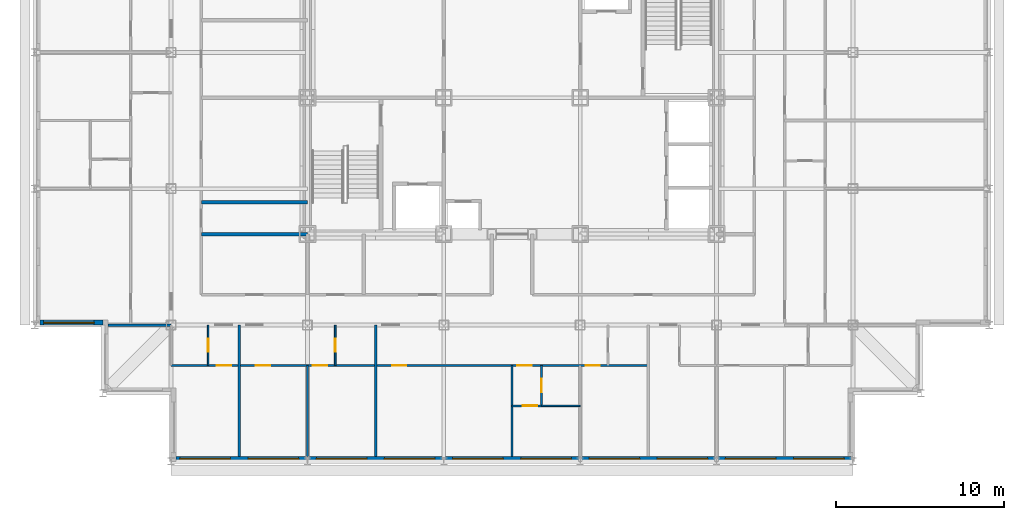
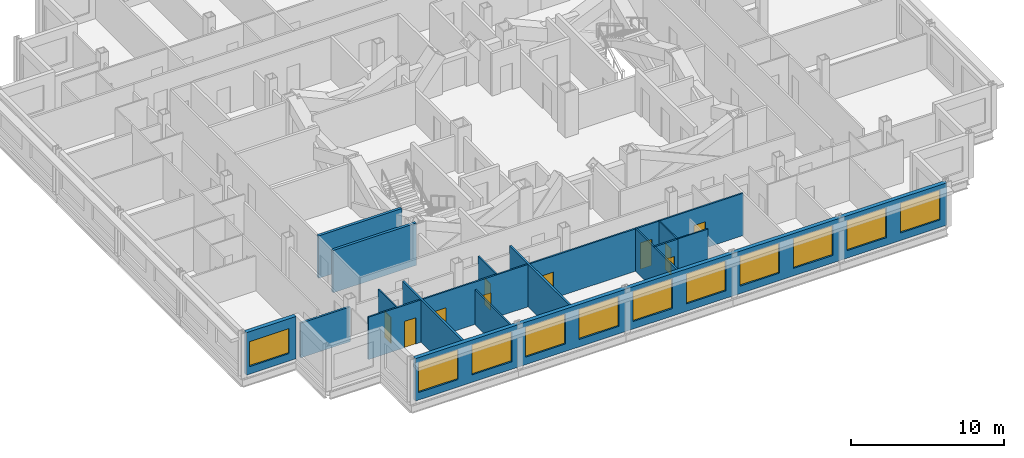
# One storey, part 4 of 12: 15 walls, 11 windows, 10 doors, 21 openings.
"""IFC4 building model written with IfcOpenShell, lengths in metres."""

from ifc_helpers import new_model, si_unit, direction, frame, frame_2d, origin, place, context, subcontext, project, spatial, rectangle, extrude, material, layer, layer_set, type_object, element, fill, save


model = new_model("IFC4")

# Units and contexts
model_context = context("Model", 3, precision=1e-05, world=origin(), true_north=direction((0.0, 1.0)))
body_context = subcontext(model_context, "Body", "Model", "MODEL_VIEW")
ifc_project = project(units=[si_unit("LENGTHUNIT", "METRE"), si_unit("AREAUNIT", "SQUARE_METRE"), si_unit("VOLUMEUNIT", "CUBIC_METRE"), si_unit("PLANEANGLEUNIT", "RADIAN"), si_unit("MASSUNIT", "GRAM", prefix="KILO")], contexts=[model_context])

# Site, building, storey
site_placement = place(None, origin())
site = spatial("IfcSite", under=ifc_project, at=site_placement, CompositionType="ELEMENT")
building_placement = place(site_placement, origin())
building = spatial("IfcBuilding", under=site, at=building_placement, Name="Kopane Lantern Tower", CompositionType="ELEMENT")
storey_placement = place(building_placement, frame((0.0, 0.0, 210.0)))
storey = spatial("IfcBuildingStorey", under=building, at=storey_placement, Name="L54", CompositionType="ELEMENT", Elevation=210.0)

# Walls
ifc_material_1 = material(Name="Gypsum board on steel studs", Category="steel")
ifc_layer_1 = layer(ifc_material_1, 0.1201171875)
ifc_layer_set_1 = layer_set([ifc_layer_1], Name="APARTMENT INTERNAL WALL 120")
wall_type_1 = type_object("IfcWallType", Name="APARTMENT INTERNAL WALL 120", PredefinedType="PARTITIONING", material=ifc_layer_set_1)
wall_1_placement = place(storey_placement, frame((16.199951171875, 16.5, 0.0), z_axis=(0.0, 0.0, 1.0), x_axis=(0.0, -1.0, 0.0)))
element("IfcWall", 1, at=wall_1_placement, inside=storey, type_object=wall_type_1, Name="Apartment Internal Wall 120 L54", PredefinedType="PARTITIONING", context=body_context, shape_type="SweptSolid", body=[
    extrude(rectangle(XDim=5.39990234375, YDim=0.1201171875, at=frame_2d((2.699951171875, 0.0))), origin(), (0.0, 0.0, 1.0), 2.77783203125),
])
wall_2_placement = place(storey_placement, frame((28.35009765625, 16.5, 0.0), z_axis=(0.0, 0.0, 1.0), x_axis=(0.0, -1.0, 0.0)))
element("IfcWall", 2, at=wall_2_placement, inside=storey, type_object=wall_type_1, Name="Apartment Internal Wall 120 L54", PredefinedType="PARTITIONING", context=body_context, shape_type="SweptSolid", body=[
    extrude(rectangle(XDim=5.39990234375, YDim=0.1201171875, at=frame_2d((2.699951171875, 0.0))), origin(), (0.0, 0.0, 1.0), 3.389892578125),
])

# Wall, openings, doors
wall_3_placement = place(storey_placement, frame((8.10009765625, 16.5, 0.0), z_axis=(0.0, 0.0, 1.0), x_axis=(1.0, 0.0, 0.0)))
wall_3 = element("IfcWall", 3, at=wall_3_placement, inside=storey, type_object=wall_type_1, Name="Apartment Internal Wall 120 L54", PredefinedType="PARTITIONING", context=body_context, shape_type="SweptSolid", body=[
    extrude(rectangle(XDim=28.349853515625, YDim=0.1201171875, at=frame_2d((14.1748046875, 0.0))), origin(), (0.0, 0.0, 1.0), 3.389892578125),
])
opening_1_placement = place(wall_3_placement, frame((5.02490234375, 0.0, 0.0)))
opening_1 = element("IfcOpeningElement", 4, at=opening_1_placement, cuts=wall_3, Name="Opening L54-019", PredefinedType="OPENING", context=body_context, shape_type="SweptSolid", body=[
    extrude(rectangle(XDim=0.85009765625, YDim=2.10009765625, at=frame_2d((0.425048828125, 1.050048828125))), frame((0.0, 0.070068359375, 0.0), z_axis=(0.0, -1.0, 0.0), x_axis=(1.0, 0.0, 0.0)), (0.0, 0.0, 1.0), 0.14013671875),
])
opening_2_placement = place(wall_3_placement, frame((8.425048828125, 0.0, 0.0)))
opening_2 = element("IfcOpeningElement", 5, at=opening_2_placement, cuts=wall_3, Name="Opening L54-020", PredefinedType="OPENING", context=body_context, shape_type="SweptSolid", body=[
    extrude(rectangle(XDim=0.85009765625, YDim=2.10009765625, at=frame_2d((0.425048828125, 1.050048828125))), frame((0.0, 0.070068359375, 0.0), z_axis=(0.0, -1.0, 0.0), x_axis=(1.0, 0.0, 0.0)), (0.0, 0.0, 1.0), 0.14013671875),
])
opening_3_placement = place(wall_3_placement, frame((13.125, 0.0, 0.0)))
opening_3 = element("IfcOpeningElement", 6, at=opening_3_placement, cuts=wall_3, Name="Opening L54-023", PredefinedType="OPENING", context=body_context, shape_type="SweptSolid", body=[
    extrude(rectangle(XDim=0.85009765625, YDim=2.10009765625, at=frame_2d((0.425048828125, 1.050048828125))), frame((0.0, 0.070068359375, 0.0), z_axis=(0.0, -1.0, 0.0), x_axis=(1.0, 0.0, 0.0)), (0.0, 0.0, 1.0), 0.14013671875),
])
opening_4_placement = place(wall_3_placement, frame((20.574951171875, 0.0, 0.0)))
opening_4 = element("IfcOpeningElement", 7, at=opening_4_placement, cuts=wall_3, Name="Opening L54-025", PredefinedType="OPENING", context=body_context, shape_type="SweptSolid", body=[
    extrude(rectangle(XDim=0.85009765625, YDim=2.10009765625, at=frame_2d((0.425048828125, 1.050048828125))), frame((0.0, 0.070068359375, 0.0), z_axis=(0.0, -1.0, 0.0), x_axis=(1.0, 0.0, 0.0)), (0.0, 0.0, 1.0), 0.14013671875),
])
opening_5_placement = place(wall_3_placement, frame((24.625, 0.0, 0.0)))
opening_5 = element("IfcOpeningElement", 8, at=opening_5_placement, cuts=wall_3, Name="Opening L54-026", PredefinedType="OPENING", context=body_context, shape_type="SweptSolid", body=[
    extrude(rectangle(XDim=0.85009765625, YDim=2.10009765625, at=frame_2d((0.425048828125, 1.050048828125))), frame((0.0, 0.070068359375, 0.0), z_axis=(0.0, -1.0, 0.0), x_axis=(1.0, 0.0, 0.0)), (0.0, 0.0, 1.0), 0.14013671875),
])
opening_6_placement = place(wall_3_placement, frame((2.72509765625, 0.0, 0.0)))
opening_6 = element("IfcOpeningElement", 9, at=opening_6_placement, cuts=wall_3, Name="Opening L54-065", PredefinedType="OPENING", context=body_context, shape_type="SweptSolid", body=[
    extrude(rectangle(XDim=0.85009765625, YDim=2.10009765625, at=frame_2d((0.425048828125, 1.050048828125))), frame((0.0, 0.070068359375, 0.0), z_axis=(0.0, -1.0, 0.0), x_axis=(1.0, 0.0, 0.0)), (0.0, 0.0, 1.0), 0.14013671875),
])
ifc_material_2 = material(Name="Timber door set", Category="wood")
door_type_1 = type_object("IfcDoorType", Name="DOOR D4 850x2100", OperationType="SINGLE_SWING_LEFT", PredefinedType="DOOR", material=ifc_material_2)
door_1_placement = place(opening_1_placement, origin())
door_1 = element("IfcDoor", 10, at=door_1_placement, inside=storey, type_object=door_type_1, Name="Door L54-019", OperationType="SINGLE_SWING_LEFT", OverallHeight=2.10009765625, OverallWidth=0.85009765625, PredefinedType="DOOR", context=body_context, shape_type="SweptSolid", body=[
    extrude(rectangle(XDim=0.85009765625, YDim=2.10009765625, at=frame_2d((0.425048828125, 1.050048828125))), frame((0.0, 0.02490234375, 0.0), z_axis=(0.0, -1.0, 0.0), x_axis=(1.0, 0.0, 0.0)), (0.0, 0.0, 1.0), 0.050048828125),
])
fill(opening_1, door_1)
door_2_placement = place(opening_2_placement, origin())
door_2 = element("IfcDoor", 11, at=door_2_placement, inside=storey, type_object=door_type_1, Name="Door L54-020", OperationType="SINGLE_SWING_RIGHT", OverallHeight=2.10009765625, OverallWidth=0.85009765625, PredefinedType="DOOR", context=body_context, shape_type="SweptSolid", body=[
    extrude(rectangle(XDim=0.85009765625, YDim=2.10009765625, at=frame_2d((0.425048828125, 1.050048828125))), frame((0.0, 0.02490234375, 0.0), z_axis=(0.0, -1.0, 0.0), x_axis=(1.0, 0.0, 0.0)), (0.0, 0.0, 1.0), 0.050048828125),
])
fill(opening_2, door_2)
door_3_placement = place(opening_3_placement, origin())
door_3 = element("IfcDoor", 12, at=door_3_placement, inside=storey, type_object=door_type_1, Name="Door L54-023", OperationType="SINGLE_SWING_RIGHT", OverallHeight=2.10009765625, OverallWidth=0.85009765625, PredefinedType="DOOR", context=body_context, shape_type="SweptSolid", body=[
    extrude(rectangle(XDim=0.85009765625, YDim=2.10009765625, at=frame_2d((0.425048828125, 1.050048828125))), frame((0.0, 0.02490234375, 0.0), z_axis=(0.0, -1.0, 0.0), x_axis=(1.0, 0.0, 0.0)), (0.0, 0.0, 1.0), 0.050048828125),
])
fill(opening_3, door_3)
door_4_placement = place(opening_4_placement, origin())
door_4 = element("IfcDoor", 13, at=door_4_placement, inside=storey, type_object=door_type_1, Name="Door L54-025", OperationType="SINGLE_SWING_RIGHT", OverallHeight=2.10009765625, OverallWidth=0.85009765625, PredefinedType="DOOR", context=body_context, shape_type="SweptSolid", body=[
    extrude(rectangle(XDim=0.85009765625, YDim=2.10009765625, at=frame_2d((0.425048828125, 1.050048828125))), frame((0.0, 0.02490234375, 0.0), z_axis=(0.0, -1.0, 0.0), x_axis=(1.0, 0.0, 0.0)), (0.0, 0.0, 1.0), 0.050048828125),
])
fill(opening_4, door_4)
door_5_placement = place(opening_5_placement, origin())
door_5 = element("IfcDoor", 14, at=door_5_placement, inside=storey, type_object=door_type_1, Name="Door L54-026", OperationType="SINGLE_SWING_RIGHT", OverallHeight=2.10009765625, OverallWidth=0.85009765625, PredefinedType="DOOR", context=body_context, shape_type="SweptSolid", body=[
    extrude(rectangle(XDim=0.85009765625, YDim=2.10009765625, at=frame_2d((0.425048828125, 1.050048828125))), frame((0.0, 0.02490234375, 0.0), z_axis=(0.0, -1.0, 0.0), x_axis=(1.0, 0.0, 0.0)), (0.0, 0.0, 1.0), 0.050048828125),
])
fill(opening_5, door_5)
door_6_placement = place(opening_6_placement, origin())
door_6 = element("IfcDoor", 15, at=door_6_placement, inside=storey, type_object=door_type_1, Name="Door L54-065", OperationType="SINGLE_SWING_LEFT", OverallHeight=2.10009765625, OverallWidth=0.85009765625, PredefinedType="DOOR", context=body_context, shape_type="SweptSolid", body=[
    extrude(rectangle(XDim=0.85009765625, YDim=2.10009765625, at=frame_2d((0.425048828125, 1.050048828125))), frame((0.0, 0.02490234375, 0.0), z_axis=(0.0, -1.0, 0.0), x_axis=(1.0, 0.0, 0.0)), (0.0, 0.0, 1.0), 0.050048828125),
])
fill(opening_6, door_6)

# Wall, opening, door
wall_4_placement = place(storey_placement, frame((30.110107421875, 14.10009765625, 0.0), z_axis=(0.0, 0.0, 1.0), x_axis=(-1.0, 0.0, 0.0)))
wall_4 = element("IfcWall", 16, at=wall_4_placement, inside=storey, type_object=wall_type_1, Name="Apartment Internal Wall 120 L54", PredefinedType="PARTITIONING", context=body_context, shape_type="SweptSolid", body=[
    extrude(rectangle(XDim=1.760009765625, YDim=0.1201171875, at=frame_2d((0.8798828125, 0.0))), origin(), (0.0, 0.0, 1.0), 3.389892578125),
])
opening_7_placement = place(wall_4_placement, frame((0.27490234375, 0.0, 0.0)))
opening_7 = element("IfcOpeningElement", 17, at=opening_7_placement, cuts=wall_4, Name="Opening L54-080", PredefinedType="OPENING", context=body_context, shape_type="SweptSolid", body=[
    extrude(rectangle(XDim=0.85009765625, YDim=2.10009765625, at=frame_2d((0.425048828125, 1.050048828125))), frame((0.0, 0.070068359375, 0.0), z_axis=(0.0, -1.0, 0.0), x_axis=(1.0, 0.0, 0.0)), (0.0, 0.0, 1.0), 0.14013671875),
])
door_7_placement = place(opening_7_placement, origin())
door_7 = element("IfcDoor", 18, at=door_7_placement, inside=storey, type_object=door_type_1, Name="Door L54-080", OperationType="SINGLE_SWING_RIGHT", OverallHeight=2.10009765625, OverallWidth=0.85009765625, PredefinedType="DOOR", context=body_context, shape_type="SweptSolid", body=[
    extrude(rectangle(XDim=0.85009765625, YDim=2.10009765625, at=frame_2d((0.425048828125, 1.050048828125))), frame((0.0, 0.02490234375, 0.0), z_axis=(0.0, -1.0, 0.0), x_axis=(1.0, 0.0, 0.0)), (0.0, 0.0, 1.0), 0.050048828125),
])
fill(opening_7, door_7)

ifc_material_3 = material(Name="Moisture-resistant board on steel studs", Category="steel")
ifc_layer_2 = layer(ifc_material_3, 0.10009765625)
ifc_layer_set_2 = layer_set([ifc_layer_2], Name="BATHROOM WALL 100")
wall_type_2 = type_object("IfcWallType", Name="BATHROOM WALL 100", PredefinedType="PARTITIONING", material=ifc_layer_set_2)
wall_5_placement = place(storey_placement, frame((17.85009765625, 18.89990234375, 0.0), z_axis=(0.0, 0.0, 1.0), x_axis=(0.0, -1.0, 0.0)))
wall_5 = element("IfcWall", 19, at=wall_5_placement, inside=storey, type_object=wall_type_2, Name="Bathroom Wall 100 L54", PredefinedType="PARTITIONING", context=body_context, shape_type="SweptSolid", body=[
    extrude(rectangle(XDim=2.39990234375, YDim=0.10009765625, at=frame_2d((1.199951171875, 0.0))), origin(), (0.0, 0.0, 1.0), 3.389892578125),
])
opening_8_placement = place(wall_5_placement, frame((0.800048828125, 0.0, 0.0)))
opening_8 = element("IfcOpeningElement", 20, at=opening_8_placement, cuts=wall_5, Name="Opening L54-017", PredefinedType="OPENING", context=body_context, shape_type="SweptSolid", body=[
    extrude(rectangle(XDim=0.800048828125, YDim=2.10009765625, at=frame_2d((0.39990234375, 1.050048828125))), frame((0.0, 0.06005859375, 0.0), z_axis=(0.0, -1.0, 0.0), x_axis=(1.0, 0.0, 0.0)), (0.0, 0.0, 1.0), 0.1201171875),
])
ifc_material_4 = material(Name="Timber door set", Category="wood")
door_type_2 = type_object("IfcDoorType", Name="DOOR D2 800x2100", OperationType="SINGLE_SWING_LEFT", PredefinedType="DOOR", material=ifc_material_4)
door_8_placement = place(opening_8_placement, origin())
door_8 = element("IfcDoor", 21, at=door_8_placement, inside=storey, type_object=door_type_2, Name="Door L54-017", OperationType="SINGLE_SWING_LEFT", OverallHeight=2.10009765625, OverallWidth=0.800048828125, PredefinedType="DOOR", context=body_context, shape_type="SweptSolid", body=[
    extrude(rectangle(XDim=0.800048828125, YDim=2.10009765625, at=frame_2d((0.39990234375, 1.050048828125))), frame((0.0, 0.02490234375, 0.0), z_axis=(0.0, -1.0, 0.0), x_axis=(1.0, 0.0, 0.0)), (0.0, 0.0, 1.0), 0.050048828125),
])
fill(opening_8, door_8)

wall_6_placement = place(storey_placement, frame((30.10009765625, 16.5, 0.0), z_axis=(0.0, 0.0, 1.0), x_axis=(0.0, -1.0, 0.0)))
wall_6 = element("IfcWall", 22, at=wall_6_placement, inside=storey, type_object=wall_type_2, Name="Bathroom Wall 100 L54", PredefinedType="PARTITIONING", context=body_context, shape_type="SweptSolid", body=[
    extrude(rectangle(XDim=2.39990234375, YDim=0.10009765625, at=frame_2d((1.199951171875, 0.0))), origin(), (0.0, 0.0, 1.0), 3.389892578125),
])
opening_9_placement = place(wall_6_placement, frame((0.800048828125, 0.0, 0.0)))
opening_9 = element("IfcOpeningElement", 23, at=opening_9_placement, cuts=wall_6, Name="Opening L54-024", PredefinedType="OPENING", context=body_context, shape_type="SweptSolid", body=[
    extrude(rectangle(XDim=0.800048828125, YDim=2.10009765625, at=frame_2d((0.39990234375, 1.050048828125))), frame((0.0, 0.06005859375, 0.0), z_axis=(0.0, -1.0, 0.0), x_axis=(1.0, 0.0, 0.0)), (0.0, 0.0, 1.0), 0.1201171875),
])
door_9_placement = place(opening_9_placement, origin())
door_9 = element("IfcDoor", 24, at=door_9_placement, inside=storey, type_object=door_type_2, Name="Door L54-024", OperationType="SINGLE_SWING_LEFT", OverallHeight=2.10009765625, OverallWidth=0.800048828125, PredefinedType="DOOR", context=body_context, shape_type="SweptSolid", body=[
    extrude(rectangle(XDim=0.800048828125, YDim=2.10009765625, at=frame_2d((0.39990234375, 1.050048828125))), frame((0.0, 0.02490234375, 0.0), z_axis=(0.0, -1.0, 0.0), x_axis=(1.0, 0.0, 0.0)), (0.0, 0.0, 1.0), 0.050048828125),
])
fill(opening_9, door_9)

# Wall
wall_7_placement = place(storey_placement, frame((30.10009765625, 14.10009765625, 0.0), z_axis=(0.0, 0.0, 1.0), x_axis=(1.0, 0.0, 0.0)))
element("IfcWall", 25, at=wall_7_placement, inside=storey, type_object=wall_type_2, Name="Bathroom Wall 100 L54", PredefinedType="PARTITIONING", context=body_context, shape_type="SweptSolid", body=[
    extrude(rectangle(XDim=2.2998046875, YDim=0.10009765625, at=frame_2d((1.14990234375, 0.0))), origin(), (0.0, 0.0, 1.0), 3.389892578125),
])

# Wall, opening, door
wall_8_placement = place(storey_placement, frame((10.300048828125, 18.89990234375, 0.0), z_axis=(0.0, 0.0, 1.0), x_axis=(0.0, -1.0, 0.0)))
wall_8 = element("IfcWall", 26, at=wall_8_placement, inside=storey, type_object=wall_type_2, Name="Bathroom Wall 100 L54", PredefinedType="PARTITIONING", context=body_context, shape_type="SweptSolid", body=[
    extrude(rectangle(XDim=2.39990234375, YDim=0.10009765625, at=frame_2d((1.199951171875, 0.0))), origin(), (0.0, 0.0, 1.0), 3.389892578125),
])
opening_10_placement = place(wall_8_placement, frame((0.800048828125, 0.0, 0.0)))
opening_10 = element("IfcOpeningElement", 27, at=opening_10_placement, cuts=wall_8, Name="Opening L54-063", PredefinedType="OPENING", context=body_context, shape_type="SweptSolid", body=[
    extrude(rectangle(XDim=0.800048828125, YDim=2.10009765625, at=frame_2d((0.39990234375, 1.050048828125))), frame((0.0, 0.06005859375, 0.0), z_axis=(0.0, -1.0, 0.0), x_axis=(1.0, 0.0, 0.0)), (0.0, 0.0, 1.0), 0.1201171875),
])
door_10_placement = place(opening_10_placement, origin())
door_10 = element("IfcDoor", 28, at=door_10_placement, inside=storey, type_object=door_type_2, Name="Door L54-063", OperationType="SINGLE_SWING_RIGHT", OverallHeight=2.10009765625, OverallWidth=0.800048828125, PredefinedType="DOOR", context=body_context, shape_type="SweptSolid", body=[
    extrude(rectangle(XDim=0.800048828125, YDim=2.10009765625, at=frame_2d((0.39990234375, 1.050048828125))), frame((0.0, 0.02490234375, 0.0), z_axis=(0.0, -1.0, 0.0), x_axis=(1.0, 0.0, 0.0)), (0.0, 0.0, 1.0), 0.050048828125),
])
fill(opening_10, door_10)

# Walls
ifc_material_5 = material(Name="Gypsum board on steel studs", Category="steel")
ifc_layer_3 = layer(ifc_material_5, 0.14990234375)
ifc_layer_set_3 = layer_set([ifc_layer_3], Name="DEMISING WALL 150 EI 60")
wall_type_3 = type_object("IfcWallType", Name="DEMISING WALL 150 EI 60", PredefinedType="PARTITIONING", material=ifc_layer_set_3)
wall_9_placement = place(storey_placement, frame((20.25, 18.89990234375, 0.0), z_axis=(0.0, 0.0, 1.0), x_axis=(0.0, -1.0, 0.0)))
element("IfcWall", 29, at=wall_9_placement, inside=storey, type_object=wall_type_3, Name="Demising Wall 150 Ei 60 L54", PredefinedType="PARTITIONING", context=body_context, shape_type="SweptSolid", body=[
    extrude(rectangle(XDim=7.7998046875, YDim=0.14990234375, at=frame_2d((3.89990234375, 0.0))), origin(), (0.0, 0.0, 1.0), 3.389892578125),
])
wall_10_placement = place(storey_placement, frame((4.35009765625, 18.89990234375, 0.0), z_axis=(0.0, 0.0, 1.0), x_axis=(1.0, 0.0, 0.0)))
element("IfcWall", 30, at=wall_10_placement, inside=storey, type_object=wall_type_3, Name="Demising Wall 150 Ei 60 L54", PredefinedType="PARTITIONING", context=body_context, shape_type="SweptSolid", body=[
    extrude(rectangle(XDim=3.75, YDim=0.14990234375, at=frame_2d((1.875, 0.0))), origin(), (0.0, 0.0, 1.0), 2.77783203125),
])
wall_11_placement = place(storey_placement, frame((12.14990234375, 18.89990234375, 0.0), z_axis=(0.0, 0.0, 1.0), x_axis=(0.0, -1.0, 0.0)))
element("IfcWall", 31, at=wall_11_placement, inside=storey, type_object=wall_type_3, Name="Demising Wall 150 Ei 60 L54", PredefinedType="PARTITIONING", context=body_context, shape_type="SweptSolid", body=[
    extrude(rectangle(XDim=7.7998046875, YDim=0.14990234375, at=frame_2d((3.89990234375, 0.0))), origin(), (0.0, 0.0, 1.0), 3.389892578125),
])

# Wall, openings, windows
ifc_material_6 = material(Name="Terracotta rainscreen on light steel framing", Category="masonry")
ifc_layer_4 = layer(ifc_material_6, 0.300048828125)
ifc_layer_set_4 = layer_set([ifc_layer_4], Name="EXTERNAL WALL EW1 300 TERRACOTTA")
wall_type_4 = type_object("IfcWallType", Name="EXTERNAL WALL EW1 300 TERRACOTTA", PredefinedType="SOLIDWALL", material=ifc_layer_set_4)
wall_12_placement = place(storey_placement, frame((8.39990234375, 10.949951171875, 0.0), z_axis=(0.0, 0.0, 1.0), x_axis=(1.0, 0.0, 0.0)))
wall_12 = element("IfcWall", 32, at=wall_12_placement, inside=storey, type_object=wall_type_4, Name="External wall S L54", PredefinedType="SOLIDWALL", context=body_context, shape_type="SweptSolid", body=[
    extrude(rectangle(XDim=40.2001953125, YDim=0.300048828125, at=frame_2d((20.10009765625, 0.0))), origin(), (0.0, 0.0, 1.0), 3.389892578125),
])
opening_11_placement = place(wall_12_placement, frame((0.22509765625, 0.0, 0.60009765625)))
opening_11 = element("IfcOpeningElement", 33, at=opening_11_placement, cuts=wall_12, Name="Opening WR300240", PredefinedType="OPENING", context=body_context, shape_type="SweptSolid", body=[
    extrude(rectangle(XDim=3.0, YDim=2.39990234375, at=frame_2d((1.5, 1.199951171875))), frame((0.0, 0.159912109375, 0.0), z_axis=(0.0, -1.0, 0.0), x_axis=(1.0, 0.0, 0.0)), (0.0, 0.0, 1.0), 0.320068359375),
])
opening_12_placement = place(wall_12_placement, frame((4.27490234375, 0.0, 0.60009765625)))
opening_12 = element("IfcOpeningElement", 34, at=opening_12_placement, cuts=wall_12, Name="Opening WR300240", PredefinedType="OPENING", context=body_context, shape_type="SweptSolid", body=[
    extrude(rectangle(XDim=3.0, YDim=2.39990234375, at=frame_2d((1.5, 1.199951171875))), frame((0.0, 0.159912109375, 0.0), z_axis=(0.0, -1.0, 0.0), x_axis=(1.0, 0.0, 0.0)), (0.0, 0.0, 1.0), 0.320068359375),
])
opening_13_placement = place(wall_12_placement, frame((8.324951171875, 0.0, 0.60009765625)))
opening_13 = element("IfcOpeningElement", 35, at=opening_13_placement, cuts=wall_12, Name="Opening WR300240", PredefinedType="OPENING", context=body_context, shape_type="SweptSolid", body=[
    extrude(rectangle(XDim=3.0, YDim=2.39990234375, at=frame_2d((1.5, 1.199951171875))), frame((0.0, 0.159912109375, 0.0), z_axis=(0.0, -1.0, 0.0), x_axis=(1.0, 0.0, 0.0)), (0.0, 0.0, 1.0), 0.320068359375),
])
opening_14_placement = place(wall_12_placement, frame((12.375, 0.0, 0.60009765625)))
opening_14 = element("IfcOpeningElement", 36, at=opening_14_placement, cuts=wall_12, Name="Opening WR300240", PredefinedType="OPENING", context=body_context, shape_type="SweptSolid", body=[
    extrude(rectangle(XDim=3.0, YDim=2.39990234375, at=frame_2d((1.5, 1.199951171875))), frame((0.0, 0.159912109375, 0.0), z_axis=(0.0, -1.0, 0.0), x_axis=(1.0, 0.0, 0.0)), (0.0, 0.0, 1.0), 0.320068359375),
])
opening_15_placement = place(wall_12_placement, frame((16.425048828125, 0.0, 0.60009765625)))
opening_15 = element("IfcOpeningElement", 37, at=opening_15_placement, cuts=wall_12, Name="Opening WR300240", PredefinedType="OPENING", context=body_context, shape_type="SweptSolid", body=[
    extrude(rectangle(XDim=3.0, YDim=2.39990234375, at=frame_2d((1.5, 1.199951171875))), frame((0.0, 0.159912109375, 0.0), z_axis=(0.0, -1.0, 0.0), x_axis=(1.0, 0.0, 0.0)), (0.0, 0.0, 1.0), 0.320068359375),
])
opening_16_placement = place(wall_12_placement, frame((20.47509765625, 0.0, 0.60009765625)))
opening_16 = element("IfcOpeningElement", 38, at=opening_16_placement, cuts=wall_12, Name="Opening WR300240", PredefinedType="OPENING", context=body_context, shape_type="SweptSolid", body=[
    extrude(rectangle(XDim=3.0, YDim=2.39990234375, at=frame_2d((1.5, 1.199951171875))), frame((0.0, 0.159912109375, 0.0), z_axis=(0.0, -1.0, 0.0), x_axis=(1.0, 0.0, 0.0)), (0.0, 0.0, 1.0), 0.320068359375),
])
opening_17_placement = place(wall_12_placement, frame((24.52490234375, 0.0, 0.60009765625)))
opening_17 = element("IfcOpeningElement", 39, at=opening_17_placement, cuts=wall_12, Name="Opening WR300240", PredefinedType="OPENING", context=body_context, shape_type="SweptSolid", body=[
    extrude(rectangle(XDim=3.0, YDim=2.39990234375, at=frame_2d((1.5, 1.199951171875))), frame((0.0, 0.159912109375, 0.0), z_axis=(0.0, -1.0, 0.0), x_axis=(1.0, 0.0, 0.0)), (0.0, 0.0, 1.0), 0.320068359375),
])
opening_18_placement = place(wall_12_placement, frame((28.574951171875, 0.0, 0.60009765625)))
opening_18 = element("IfcOpeningElement", 40, at=opening_18_placement, cuts=wall_12, Name="Opening WR300240", PredefinedType="OPENING", context=body_context, shape_type="SweptSolid", body=[
    extrude(rectangle(XDim=3.0, YDim=2.39990234375, at=frame_2d((1.5, 1.199951171875))), frame((0.0, 0.159912109375, 0.0), z_axis=(0.0, -1.0, 0.0), x_axis=(1.0, 0.0, 0.0)), (0.0, 0.0, 1.0), 0.320068359375),
])
opening_19_placement = place(wall_12_placement, frame((32.625, 0.0, 0.60009765625)))
opening_19 = element("IfcOpeningElement", 41, at=opening_19_placement, cuts=wall_12, Name="Opening WR300240", PredefinedType="OPENING", context=body_context, shape_type="SweptSolid", body=[
    extrude(rectangle(XDim=3.0, YDim=2.39990234375, at=frame_2d((1.5, 1.199951171875))), frame((0.0, 0.159912109375, 0.0), z_axis=(0.0, -1.0, 0.0), x_axis=(1.0, 0.0, 0.0)), (0.0, 0.0, 1.0), 0.320068359375),
])
opening_20_placement = place(wall_12_placement, frame((36.675048828125, 0.0, 0.60009765625)))
opening_20 = element("IfcOpeningElement", 42, at=opening_20_placement, cuts=wall_12, Name="Opening WR300240", PredefinedType="OPENING", context=body_context, shape_type="SweptSolid", body=[
    extrude(rectangle(XDim=3.0, YDim=2.39990234375, at=frame_2d((1.5, 1.199951171875))), frame((0.0, 0.159912109375, 0.0), z_axis=(0.0, -1.0, 0.0), x_axis=(1.0, 0.0, 0.0)), (0.0, 0.0, 1.0), 0.320068359375),
])
ifc_material_7 = material(Name="Aluminium and clear glass", Category="aluminium")
window_type_1 = type_object("IfcWindowType", Name="RIBBON WINDOW WR300240 3000x2400", PartitioningType="SINGLE_PANEL", PredefinedType="WINDOW", material=ifc_material_7)
window_1_placement = place(opening_11_placement, origin())
window_1 = element("IfcWindow", 43, at=window_1_placement, inside=storey, type_object=window_type_1, Name="Window S L54", OverallHeight=2.39990234375, OverallWidth=3.0, PartitioningType="SINGLE_PANEL", PredefinedType="WINDOW", context=body_context, shape_type="SweptSolid", body=[
    extrude(rectangle(XDim=3.0, YDim=2.39990234375, at=frame_2d((1.5, 1.199951171875))), frame((0.0, 0.030029296875, 0.0), z_axis=(0.0, -1.0, 0.0), x_axis=(1.0, 0.0, 0.0)), (0.0, 0.0, 1.0), 0.06005859375),
])
fill(opening_11, window_1)
window_2_placement = place(opening_12_placement, origin())
window_2 = element("IfcWindow", 44, at=window_2_placement, inside=storey, type_object=window_type_1, Name="Window S L54", OverallHeight=2.39990234375, OverallWidth=3.0, PartitioningType="SINGLE_PANEL", PredefinedType="WINDOW", context=body_context, shape_type="SweptSolid", body=[
    extrude(rectangle(XDim=3.0, YDim=2.39990234375, at=frame_2d((1.5, 1.199951171875))), frame((0.0, 0.030029296875, 0.0), z_axis=(0.0, -1.0, 0.0), x_axis=(1.0, 0.0, 0.0)), (0.0, 0.0, 1.0), 0.06005859375),
])
fill(opening_12, window_2)
window_3_placement = place(opening_13_placement, origin())
window_3 = element("IfcWindow", 45, at=window_3_placement, inside=storey, type_object=window_type_1, Name="Window S L54", OverallHeight=2.39990234375, OverallWidth=3.0, PartitioningType="SINGLE_PANEL", PredefinedType="WINDOW", context=body_context, shape_type="SweptSolid", body=[
    extrude(rectangle(XDim=3.0, YDim=2.39990234375, at=frame_2d((1.5, 1.199951171875))), frame((0.0, 0.030029296875, 0.0), z_axis=(0.0, -1.0, 0.0), x_axis=(1.0, 0.0, 0.0)), (0.0, 0.0, 1.0), 0.06005859375),
])
fill(opening_13, window_3)
window_4_placement = place(opening_14_placement, origin())
window_4 = element("IfcWindow", 46, at=window_4_placement, inside=storey, type_object=window_type_1, Name="Window S L54", OverallHeight=2.39990234375, OverallWidth=3.0, PartitioningType="SINGLE_PANEL", PredefinedType="WINDOW", context=body_context, shape_type="SweptSolid", body=[
    extrude(rectangle(XDim=3.0, YDim=2.39990234375, at=frame_2d((1.5, 1.199951171875))), frame((0.0, 0.030029296875, 0.0), z_axis=(0.0, -1.0, 0.0), x_axis=(1.0, 0.0, 0.0)), (0.0, 0.0, 1.0), 0.06005859375),
])
fill(opening_14, window_4)
window_5_placement = place(opening_15_placement, origin())
window_5 = element("IfcWindow", 47, at=window_5_placement, inside=storey, type_object=window_type_1, Name="Window S L54", OverallHeight=2.39990234375, OverallWidth=3.0, PartitioningType="SINGLE_PANEL", PredefinedType="WINDOW", context=body_context, shape_type="SweptSolid", body=[
    extrude(rectangle(XDim=3.0, YDim=2.39990234375, at=frame_2d((1.5, 1.199951171875))), frame((0.0, 0.030029296875, 0.0), z_axis=(0.0, -1.0, 0.0), x_axis=(1.0, 0.0, 0.0)), (0.0, 0.0, 1.0), 0.06005859375),
])
fill(opening_15, window_5)
window_6_placement = place(opening_16_placement, origin())
window_6 = element("IfcWindow", 48, at=window_6_placement, inside=storey, type_object=window_type_1, Name="Window S L54", OverallHeight=2.39990234375, OverallWidth=3.0, PartitioningType="SINGLE_PANEL", PredefinedType="WINDOW", context=body_context, shape_type="SweptSolid", body=[
    extrude(rectangle(XDim=3.0, YDim=2.39990234375, at=frame_2d((1.5, 1.199951171875))), frame((0.0, 0.030029296875, 0.0), z_axis=(0.0, -1.0, 0.0), x_axis=(1.0, 0.0, 0.0)), (0.0, 0.0, 1.0), 0.06005859375),
])
fill(opening_16, window_6)
window_7_placement = place(opening_17_placement, origin())
window_7 = element("IfcWindow", 49, at=window_7_placement, inside=storey, type_object=window_type_1, Name="Window S L54", OverallHeight=2.39990234375, OverallWidth=3.0, PartitioningType="SINGLE_PANEL", PredefinedType="WINDOW", context=body_context, shape_type="SweptSolid", body=[
    extrude(rectangle(XDim=3.0, YDim=2.39990234375, at=frame_2d((1.5, 1.199951171875))), frame((0.0, 0.030029296875, 0.0), z_axis=(0.0, -1.0, 0.0), x_axis=(1.0, 0.0, 0.0)), (0.0, 0.0, 1.0), 0.06005859375),
])
fill(opening_17, window_7)
window_8_placement = place(opening_18_placement, origin())
window_8 = element("IfcWindow", 50, at=window_8_placement, inside=storey, type_object=window_type_1, Name="Window S L54", OverallHeight=2.39990234375, OverallWidth=3.0, PartitioningType="SINGLE_PANEL", PredefinedType="WINDOW", context=body_context, shape_type="SweptSolid", body=[
    extrude(rectangle(XDim=3.0, YDim=2.39990234375, at=frame_2d((1.5, 1.199951171875))), frame((0.0, 0.030029296875, 0.0), z_axis=(0.0, -1.0, 0.0), x_axis=(1.0, 0.0, 0.0)), (0.0, 0.0, 1.0), 0.06005859375),
])
fill(opening_18, window_8)
window_9_placement = place(opening_19_placement, origin())
window_9 = element("IfcWindow", 51, at=window_9_placement, inside=storey, type_object=window_type_1, Name="Window S L54", OverallHeight=2.39990234375, OverallWidth=3.0, PartitioningType="SINGLE_PANEL", PredefinedType="WINDOW", context=body_context, shape_type="SweptSolid", body=[
    extrude(rectangle(XDim=3.0, YDim=2.39990234375, at=frame_2d((1.5, 1.199951171875))), frame((0.0, 0.030029296875, 0.0), z_axis=(0.0, -1.0, 0.0), x_axis=(1.0, 0.0, 0.0)), (0.0, 0.0, 1.0), 0.06005859375),
])
fill(opening_19, window_9)
window_10_placement = place(opening_20_placement, origin())
window_10 = element("IfcWindow", 52, at=window_10_placement, inside=storey, type_object=window_type_1, Name="Window S L54", OverallHeight=2.39990234375, OverallWidth=3.0, PartitioningType="SINGLE_PANEL", PredefinedType="WINDOW", context=body_context, shape_type="SweptSolid", body=[
    extrude(rectangle(XDim=3.0, YDim=2.39990234375, at=frame_2d((1.5, 1.199951171875))), frame((0.0, 0.030029296875, 0.0), z_axis=(0.0, -1.0, 0.0), x_axis=(1.0, 0.0, 0.0)), (0.0, 0.0, 1.0), 0.06005859375),
])
fill(opening_20, window_10)

# Wall, opening, window
wall_13_placement = place(storey_placement, frame((0.300048828125, 19.050048828125, 0.0), z_axis=(0.0, 0.0, 1.0), x_axis=(1.0, 0.0, 0.0)))
wall_13 = element("IfcWall", 53, at=wall_13_placement, inside=storey, type_object=wall_type_4, Name="External wall S L54", PredefinedType="SOLIDWALL", context=body_context, shape_type="SweptSolid", body=[
    extrude(rectangle(XDim=3.75, YDim=0.300048828125, at=frame_2d((1.875, 0.0))), origin(), (0.0, 0.0, 1.0), 3.389892578125),
])
opening_21_placement = place(wall_13_placement, frame((0.22509765625, 0.0, 0.60009765625)))
opening_21 = element("IfcOpeningElement", 54, at=opening_21_placement, cuts=wall_13, Name="Opening WR300200", PredefinedType="OPENING", context=body_context, shape_type="SweptSolid", body=[
    extrude(rectangle(XDim=3.0, YDim=2.0, at=frame_2d((1.5, 1.0))), frame((0.0, 0.159912109375, 0.0), z_axis=(0.0, -1.0, 0.0), x_axis=(1.0, 0.0, 0.0)), (0.0, 0.0, 1.0), 0.320068359375),
])
ifc_material_8 = material(Name="Aluminium and clear glass", Category="aluminium")
window_type_2 = type_object("IfcWindowType", Name="RIBBON WINDOW WR300200 3000x2000", PartitioningType="SINGLE_PANEL", PredefinedType="WINDOW", material=ifc_material_8)
window_11_placement = place(opening_21_placement, origin())
window_11 = element("IfcWindow", 55, at=window_11_placement, inside=storey, type_object=window_type_2, Name="Window S L54", OverallHeight=2.0, OverallWidth=3.0, PartitioningType="SINGLE_PANEL", PredefinedType="WINDOW", context=body_context, shape_type="SweptSolid", body=[
    extrude(rectangle(XDim=3.0, YDim=2.0, at=frame_2d((1.5, 1.0))), frame((0.0, 0.030029296875, 0.0), z_axis=(0.0, -1.0, 0.0), x_axis=(1.0, 0.0, 0.0)), (0.0, 0.0, 1.0), 0.06005859375),
])
fill(opening_21, window_11)

# Walls
ifc_material_9 = material(Name="Concrete masonry", Category="masonry")
ifc_layer_5 = layer(ifc_material_9, 0.199951171875)
ifc_layer_set_5 = layer_set([ifc_layer_5], Name="PLANT ROOM WALL 200 EI 120")
wall_type_5 = type_object("IfcWallType", Name="PLANT ROOM WALL 200 EI 120", PredefinedType="SOLIDWALL", material=ifc_layer_set_5)
for number, where, z_axis, x_axis, name in (
    (56, (9.89990234375, 26.204833984375, 0.0), (0.0, 0.0, 1.0), (1.0, 0.0, 0.0), "Plant Room Wall 200 Ei 120 L54"),
    (57, (9.89990234375, 24.300048828125, 0.0), (0.0, 0.0, 1.0), (1.0, 0.0, 0.0), "Plant Room Wall 200 Ei 120 L54"),
):
    element("IfcWall", number, at=place(storey_placement, frame(where, z_axis=z_axis, x_axis=x_axis)), inside=storey, type_object=wall_type_5, Name=name, PredefinedType="SOLIDWALL", context=body_context, shape_type="SweptSolid", body=[
        extrude(rectangle(XDim=6.300048828125, YDim=0.199951171875, at=frame_2d((3.14990234375, 0.0))), origin(), (0.0, 0.0, 1.0), 3.389892578125),
    ])

save(model, "model.ifc")
